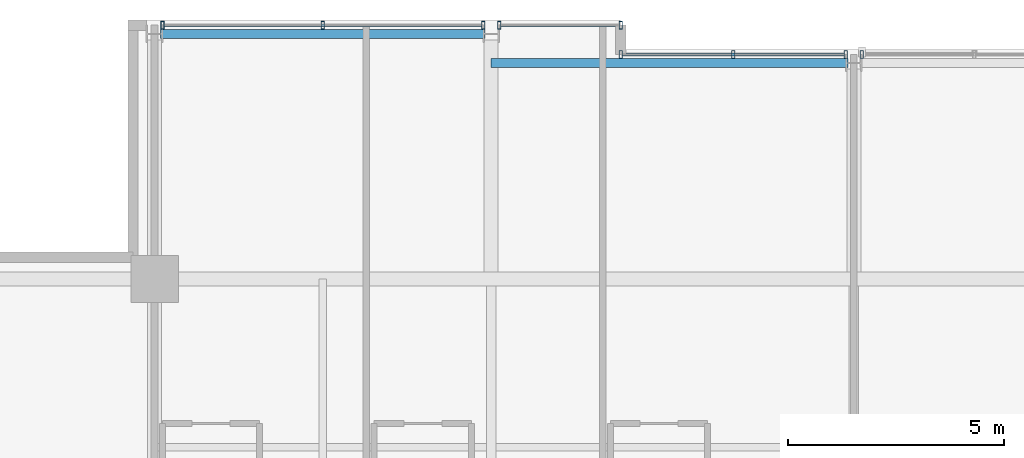
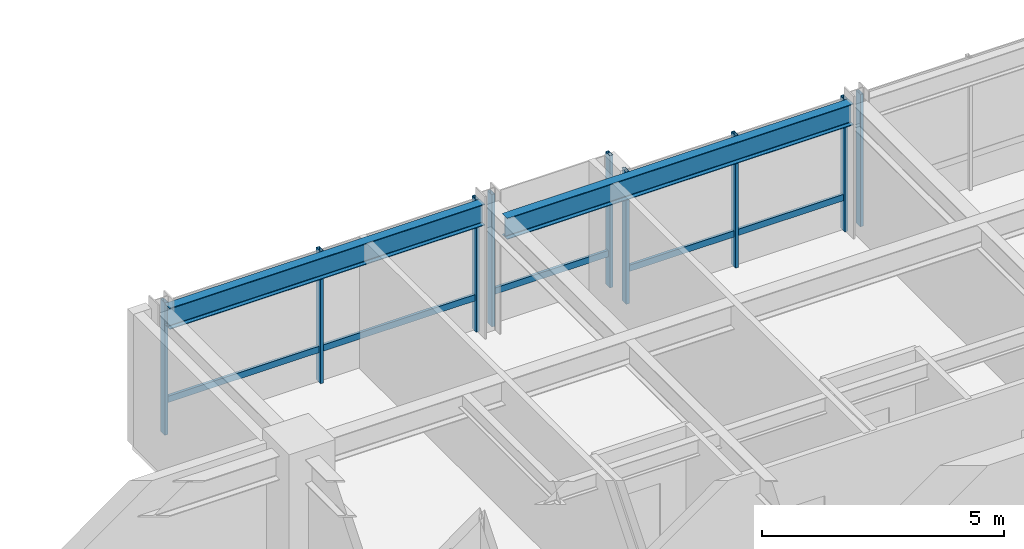
# One storey, part 19 of 32: 12 members, 2 beams, 4 elements without a shape of their own.
"""IFC4 building model written with IfcOpenShell, lengths in metres."""

from ifc_helpers import new_model, si_unit, direction, frame, origin, origin_2d, place, context, subcontext, project, spatial, hollow_rectangle, i_section, extrude, material, layer, layer_set, material_profile, profile_set, type_object, element, aggregate, save


model = new_model("IFC4")

# Units and contexts
model_context = context("Model", 3, precision=1e-05, world=origin(), true_north=direction((0.0, 1.0)))
body_context = subcontext(model_context, "Body", "Model", "MODEL_VIEW")
ifc_project = project(units=[si_unit("LENGTHUNIT", "METRE"), si_unit("AREAUNIT", "SQUARE_METRE"), si_unit("VOLUMEUNIT", "CUBIC_METRE"), si_unit("PLANEANGLEUNIT", "RADIAN"), si_unit("MASSUNIT", "GRAM", prefix="KILO")], contexts=[model_context])

# Site, building, storey
site_placement = place(None, origin())
site = spatial("IfcSite", under=ifc_project, at=site_placement, CompositionType="ELEMENT")
building_placement = place(site_placement, origin())
building = spatial("IfcBuilding", under=site, at=building_placement, Name="Drelvath Grand Hotel", CompositionType="ELEMENT")
storey_placement = place(building_placement, frame((0.0, 0.0, 205.10009765625)))
storey = spatial("IfcBuildingStorey", under=building, at=storey_placement, Name="L53", CompositionType="ELEMENT", Elevation=205.10009765625)

# Curtain wall, member
ifc_material_1 = material(Name="Platinum-Mist Anodised Aluminium Frame", Category="aluminium")
ifc_layer = layer(ifc_material_1, 0.199951171875)
ifc_layer_set = layer_set([ifc_layer], Name="Platinum-Mist Anodised Aluminium Frame")
curtain_wall_type = type_object("IfcCurtainWallType", Name="Stick Curtain Wall CW-05 Platinum Mist High-Rise", PredefinedType="NOTDEFINED", material=ifc_layer_set)
curtain_wall_1_placement = place(storey_placement, origin())
curtain_wall_1 = element("IfcCurtainWall", 1, at=curtain_wall_1_placement, inside=storey, type_object=curtain_wall_type, Name="L53 CW-05 Curtain Wall CW05-L53-NW2", PredefinedType="NOTDEFINED")
ifc_material_profile_1 = material_profile(ifc_material_1, hollow_rectangle(XDim=0.06494140625, YDim=0.159912109375, WallThickness=0.00390625, at=origin_2d()), Name="HSS160X65X4")
ifc_profile_set_1 = profile_set([ifc_material_profile_1], Name="Platinum-Mist Anodised Aluminium Frame")
member_type_1 = type_object("IfcMemberType", Name="Curtain Wall Horizontal Transom CW-05 HSS160X65X4", PredefinedType="USERDEFINED", material=ifc_profile_set_1)
member_1_placement = place(storey_placement, frame((-15.974609375, 49.080078125, 0.8349609375), z_axis=(1.0, 0.0, 0.0), x_axis=(0.0, 1.0, 0.0)))
member_1 = element("IfcMember", 2, at=member_1_placement, type_object=member_type_1, Name="CW05-L53-NW2 Sill Transom", ObjectType="TRANSOM", PredefinedType="USERDEFINED", context=body_context, shape_type="SweptSolid", body=[
    extrude(hollow_rectangle(XDim=0.06494140625, YDim=0.159912109375, WallThickness=0.00390625, at=origin_2d()), origin(), (0.0, 0.0, 1.0), 7.349365234375),
])

curtain_wall_2_placement = place(storey_placement, origin())
curtain_wall_2 = element("IfcCurtainWall", 3, at=curtain_wall_2_placement, inside=storey, type_object=curtain_wall_type, Name="L53 CW-05 Curtain Wall CW05-L53-NW3", PredefinedType="NOTDEFINED")
member_2_placement = place(storey_placement, frame((-8.1748046875, 49.080078125, 0.8349609375), z_axis=(1.0, 0.0, 0.0), x_axis=(0.0, 1.0, 0.0)))
member_2 = element("IfcMember", 4, at=member_2_placement, type_object=member_type_1, Name="CW05-L53-NW3 Sill Transom", ObjectType="TRANSOM", PredefinedType="USERDEFINED", context=body_context, shape_type="SweptSolid", body=[
    extrude(hollow_rectangle(XDim=0.06494140625, YDim=0.159912109375, WallThickness=0.00390625, at=origin_2d()), origin(), (0.0, 0.0, 1.0), 2.73486328125),
])

curtain_wall_3_placement = place(storey_placement, origin())
curtain_wall_3 = element("IfcCurtainWall", 5, at=curtain_wall_3_placement, inside=storey, type_object=curtain_wall_type, Name="L53 CW-05 Curtain Wall CW05-L53-NM1", PredefinedType="NOTDEFINED")
member_3_placement = place(storey_placement, frame((-5.360107421875, 48.39990234375, 0.8349609375), z_axis=(1.0, 0.0, 0.0), x_axis=(0.0, 1.0, 0.0)))
member_3 = element("IfcMember", 6, at=member_3_placement, type_object=member_type_1, Name="CW05-L53-NM1 Sill Transom", ObjectType="TRANSOM", PredefinedType="USERDEFINED", context=body_context, shape_type="SweptSolid", body=[
    extrude(hollow_rectangle(XDim=0.06494140625, YDim=0.159912109375, WallThickness=0.00390625, at=origin_2d()), origin(), (0.0, 0.0, 1.0), 5.134765625),
])

# Member
ifc_material_profile_2 = material_profile(ifc_material_1, hollow_rectangle(XDim=0.074951171875, YDim=0.179931640625, WallThickness=0.0048828125, at=origin_2d()), Name="HSS180X75X5")
ifc_profile_set_2 = profile_set([ifc_material_profile_2], Name="Platinum-Mist Anodised Aluminium Frame")
member_type_2 = type_object("IfcMemberType", Name="Curtain Wall Vertical Mullion CW-05 HSS180X75X5", PredefinedType="MULLION", material=ifc_profile_set_2)
member_4_placement = place(storey_placement, frame((-16.0146484375, 49.080078125, 0.0), z_axis=(0.0, 0.0, 1.0), x_axis=(1.0, 0.0, 0.0)))
member_4 = element("IfcMember", 7, at=member_4_placement, type_object=member_type_2, Name="CW05-L53-NW2 Mullion 1", PredefinedType="MULLION", context=body_context, shape_type="SweptSolid", body=[
    extrude(hollow_rectangle(XDim=0.074951171875, YDim=0.179931640625, WallThickness=0.0048828125, at=origin_2d()), origin(), (0.0, 0.0, 1.0), 3.33984375),
])

member_5_placement = place(storey_placement, frame((-12.300048828125, 49.080078125, 0.0), z_axis=(0.0, 0.0, 1.0), x_axis=(1.0, 0.0, 0.0)))
member_5 = element("IfcMember", 8, at=member_5_placement, type_object=member_type_2, Name="CW05-L53-NW2 Mullion 2", PredefinedType="MULLION", context=body_context, shape_type="SweptSolid", body=[
    extrude(hollow_rectangle(XDim=0.074951171875, YDim=0.179931640625, WallThickness=0.0048828125, at=origin_2d()), origin(), (0.0, 0.0, 1.0), 3.33984375),
])

member_6_placement = place(storey_placement, frame((-8.585205078125, 49.080078125, 0.0), z_axis=(0.0, 0.0, 1.0), x_axis=(1.0, 0.0, 0.0)))
member_6 = element("IfcMember", 9, at=member_6_placement, type_object=member_type_2, Name="CW05-L53-NW2 Mullion 3", PredefinedType="MULLION", context=body_context, shape_type="SweptSolid", body=[
    extrude(hollow_rectangle(XDim=0.074951171875, YDim=0.179931640625, WallThickness=0.0048828125, at=origin_2d()), origin(), (0.0, 0.0, 1.0), 3.33984375),
])

aggregate(curtain_wall_1, [member_4, member_5, member_6, member_1])

member_7_placement = place(storey_placement, frame((-8.214599609375, 49.080078125, 0.0), z_axis=(0.0, 0.0, 1.0), x_axis=(1.0, 0.0, 0.0)))
member_7 = element("IfcMember", 10, at=member_7_placement, type_object=member_type_2, Name="CW05-L53-NW3 Mullion 1", PredefinedType="MULLION", context=body_context, shape_type="SweptSolid", body=[
    extrude(hollow_rectangle(XDim=0.074951171875, YDim=0.179931640625, WallThickness=0.0048828125, at=origin_2d()), origin(), (0.0, 0.0, 1.0), 3.33984375),
])

member_8_placement = place(storey_placement, frame((-5.39990234375, 49.080078125, 0.0), z_axis=(0.0, 0.0, 1.0), x_axis=(1.0, 0.0, 0.0)))
member_8 = element("IfcMember", 11, at=member_8_placement, type_object=member_type_2, Name="CW05-L53-NW3 Mullion 2", PredefinedType="MULLION", context=body_context, shape_type="SweptSolid", body=[
    extrude(hollow_rectangle(XDim=0.074951171875, YDim=0.179931640625, WallThickness=0.0048828125, at=origin_2d()), origin(), (0.0, 0.0, 1.0), 3.33984375),
])

aggregate(curtain_wall_2, [member_7, member_8, member_2])

member_9_placement = place(storey_placement, frame((-5.39990234375, 48.39990234375, 0.0), z_axis=(0.0, 0.0, 1.0), x_axis=(1.0, 0.0, 0.0)))
member_9 = element("IfcMember", 12, at=member_9_placement, type_object=member_type_2, Name="CW05-L53-NM1 Mullion 1", PredefinedType="MULLION", context=body_context, shape_type="SweptSolid", body=[
    extrude(hollow_rectangle(XDim=0.074951171875, YDim=0.179931640625, WallThickness=0.0048828125, at=origin_2d()), origin(), (0.0, 0.0, 1.0), 3.33984375),
])

member_10_placement = place(storey_placement, frame((-2.792724609375, 48.39990234375, 0.0), z_axis=(0.0, 0.0, 1.0), x_axis=(1.0, 0.0, 0.0)))
member_10 = element("IfcMember", 13, at=member_10_placement, type_object=member_type_2, Name="CW05-L53-NM1 Mullion 2", PredefinedType="MULLION", context=body_context, shape_type="SweptSolid", body=[
    extrude(hollow_rectangle(XDim=0.074951171875, YDim=0.179931640625, WallThickness=0.0048828125, at=origin_2d()), origin(), (0.0, 0.0, 1.0), 3.33984375),
])

member_11_placement = place(storey_placement, frame((-0.185302734375, 48.39990234375, 0.0), z_axis=(0.0, 0.0, 1.0), x_axis=(1.0, 0.0, 0.0)))
member_11 = element("IfcMember", 14, at=member_11_placement, type_object=member_type_2, Name="CW05-L53-NM1 Mullion 3", PredefinedType="MULLION", context=body_context, shape_type="SweptSolid", body=[
    extrude(hollow_rectangle(XDim=0.074951171875, YDim=0.179931640625, WallThickness=0.0048828125, at=origin_2d()), origin(), (0.0, 0.0, 1.0), 3.33984375),
])

aggregate(curtain_wall_3, [member_9, member_10, member_11, member_3])

# Curtain wall, member
curtain_wall_4_placement = place(storey_placement, origin())
curtain_wall_4 = element("IfcCurtainWall", 15, at=curtain_wall_4_placement, inside=storey, type_object=curtain_wall_type, Name="L53 CW-05 Curtain Wall CW05-L53-NM2", PredefinedType="NOTDEFINED")
member_12_placement = place(storey_placement, frame((0.185302734375, 48.39990234375, 0.0), z_axis=(0.0, 0.0, 1.0), x_axis=(1.0, 0.0, 0.0)))
member_12 = element("IfcMember", 16, at=member_12_placement, type_object=member_type_2, Name="CW05-L53-NM2 Mullion 1", PredefinedType="MULLION", context=body_context, shape_type="SweptSolid", body=[
    extrude(hollow_rectangle(XDim=0.074951171875, YDim=0.179931640625, WallThickness=0.0048828125, at=origin_2d()), origin(), (0.0, 0.0, 1.0), 3.33984375),
])
aggregate(curtain_wall_4, [member_12])

# Beams
ifc_material_2 = material(Name="Steel ASTM A992 Gr 50", Category="steel")
ifc_material_profile_3 = material_profile(ifc_material_2, i_section(OverallWidth=0.210205078125, OverallDepth=0.53662109375, WebThickness=0.010986328125, FlangeThickness=0.017333984375, FilletRadius=0.01806640625, at=origin_2d()), Name="W21X68")
ifc_profile_set_3 = profile_set([ifc_material_profile_3], Name="Steel ASTM A992 Gr 50")
beam_type = type_object("IfcBeamType", Name="Perimeter Spandrel Beam W21X68", PredefinedType="SPANDREL", material=ifc_profile_set_3)
beam_1_placement = place(storey_placement, frame((-16.06005859375, 48.8798828125, 3.071533203125), z_axis=(1.0, 0.0, 0.0), x_axis=(0.0, 1.0, 0.0)))
element("IfcBeam", 17, at=beam_1_placement, inside=storey, type_object=beam_type, Name="L53 Spandrel North W", PredefinedType="SPANDREL", context=body_context, shape_type="SweptSolid", body=[
    extrude(i_section(OverallWidth=0.210205078125, OverallDepth=0.53662109375, WebThickness=0.010986328125, FlangeThickness=0.017333984375, FilletRadius=0.01806640625, at=origin_2d()), origin(), (0.0, 0.0, 1.0), 7.52001953125),
])
beam_2_placement = place(storey_placement, frame((-8.39990234375, 48.199951171875, 3.071533203125), z_axis=(1.0, 0.0, 0.0), x_axis=(0.0, 1.0, 0.0)))
element("IfcBeam", 18, at=beam_2_placement, inside=storey, type_object=beam_type, Name="L53 Spandrel North Mid W", PredefinedType="SPANDREL", context=body_context, shape_type="SweptSolid", body=[
    extrude(i_section(OverallWidth=0.210205078125, OverallDepth=0.53662109375, WebThickness=0.010986328125, FlangeThickness=0.017333984375, FilletRadius=0.01806640625, at=origin_2d()), origin(), (0.0, 0.0, 1.0), 8.260009765625),
])

save(model, "model.ifc")
